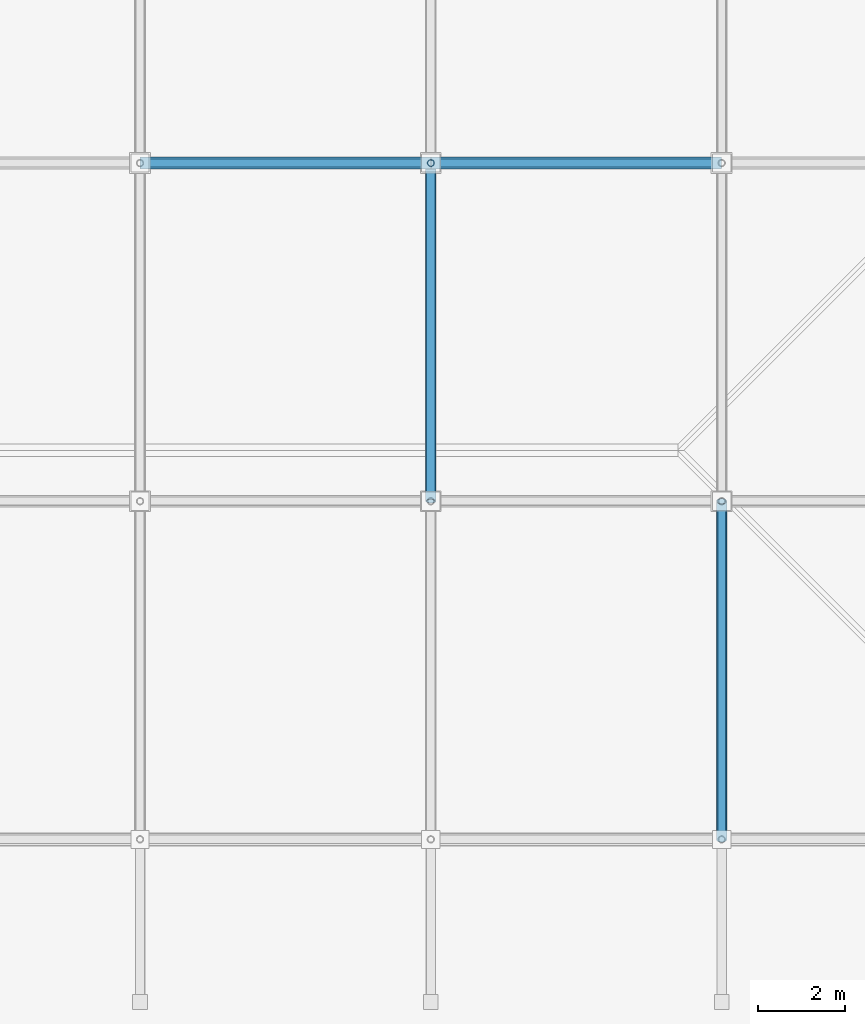
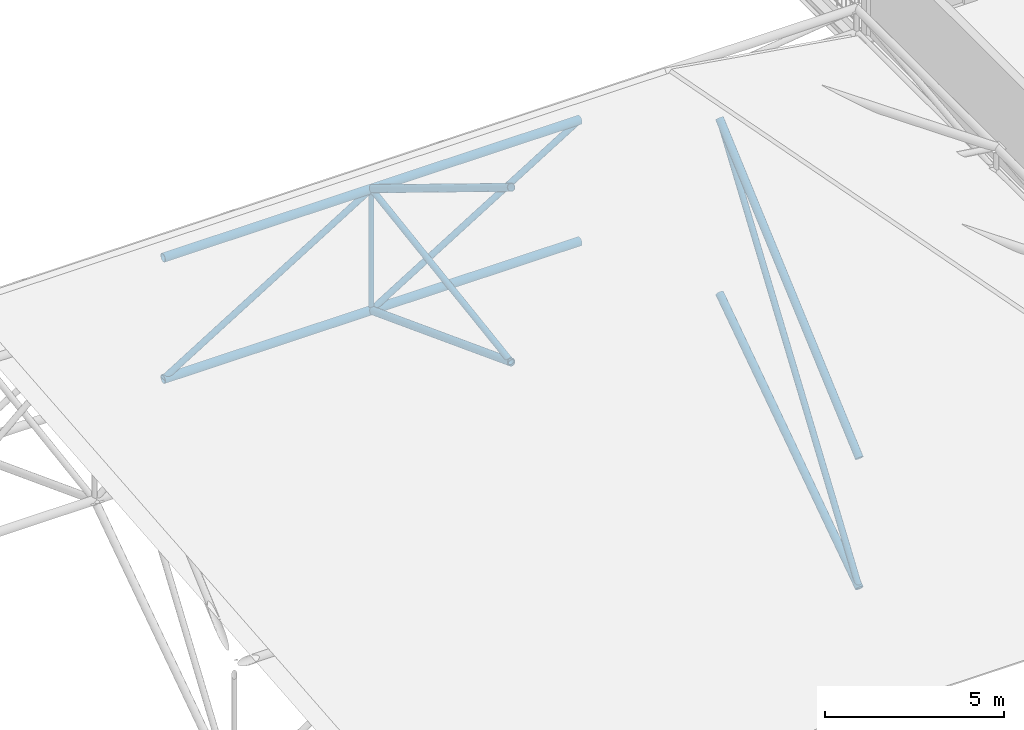
# One storey, part 33 of 77: 13 members.
"""IFC4 building model written with IfcOpenShell, lengths in metres."""

import ifcopenshell
import ifcopenshell.guid

model = None  # the IFC model being written
_history = None  # IfcOwnerHistory: only IFC2X3 demands one
_inside = {}  # id of a spatial element -> (the spatial element, [elements in it])
_under = {}  # id of a project, library or spatial element -> (it, [spatial elements below it])
_declared = {}  # id of a project -> (the project, [libraries it declares])
_typed = {}  # id of a type object -> (the type object, [elements of that type])
_made_of = {}  # id of a material, layer set ... -> (it, [elements and type objects made of it])


def new_model(schema):
    """Start an empty IFC model of exactly this schema.

    Asked for "IFC4X3", IfcOpenShell would pick the latest addendum, in which some entities
    have other attributes; the version numbers below select the first issue.
    IFC2X3 requires an IfcOwnerHistory on every rooted entity: one is made here for all.
    """
    global model, _history
    if schema == "IFC4X3":
        model = ifcopenshell.file(schema_version=(4, 3, 0, 0))
    else:
        model = ifcopenshell.file(schema=schema)
    _inside.clear()
    _under.clear()
    _declared.clear()
    _typed.clear()
    _made_of.clear()
    _history = None
    if model.schema == "IFC2X3":
        org = make("IfcOrganization", Name="unknown")
        user = make(
            "IfcPersonAndOrganization",
            ThePerson=make("IfcPerson", FamilyName="unknown"),
            TheOrganization=org,
        )
        app = make(
            "IfcApplication",
            ApplicationDeveloper=org,
            Version="unknown",
            ApplicationFullName="unknown",
            ApplicationIdentifier="unknown",
        )
        _history = make(
            "IfcOwnerHistory",
            OwningUser=user,
            OwningApplication=app,
            ChangeAction="ADDED",
            CreationDate=0,
        )
    return model


def make(cls, **values):
    """One entity of the class cls with the attributes given. An attribute that is None is left unset."""
    return model.create_entity(
        cls, **{name: value for name, value in values.items() if value is not None}
    )


def rooted(cls, **values):
    """An entity with a GlobalId (a new one), such as an element, a storey or a relation."""
    return make(cls, GlobalId=ifcopenshell.guid.new(), OwnerHistory=_history, **values)


def si_unit(unit_type, name, prefix=None):
    """IfcSIUnit, for example si_unit("LENGTHUNIT", "METRE", prefix="MILLI")."""
    return make("IfcSIUnit", UnitType=unit_type, Prefix=prefix, Name=name)


def assignment(units):
    """IfcUnitAssignment: the units of a project."""
    return None if units is None else make("IfcUnitAssignment", Units=units)


def point(xyz):
    """IfcCartesianPoint."""
    return None if xyz is None else make("IfcCartesianPoint", Coordinates=xyz)


def direction(xyz):
    """IfcDirection."""
    return None if xyz is None else make("IfcDirection", DirectionRatios=xyz)


def frame(location, z_axis=None, x_axis=None):
    """IfcAxis2Placement3D, a coordinate frame: its origin and axes. An axis left out is left unset."""
    return make(
        "IfcAxis2Placement3D",
        Location=point(location),
        Axis=direction(z_axis),
        RefDirection=direction(x_axis),
    )


def frame_2d(location, x_axis=None):
    """IfcAxis2Placement2D, a coordinate frame in the plane: its origin and x axis."""
    return make(
        "IfcAxis2Placement2D", Location=point(location), RefDirection=direction(x_axis)
    )


def origin():
    """The frame at (0, 0, 0) with its axes left unset."""
    return frame((0.0, 0.0, 0.0))


def origin_2d():
    """The frame at (0, 0) in the plane with its x axis left unset."""
    return frame_2d((0.0, 0.0))


def place(relative_to, where):
    """IfcLocalPlacement: puts the frame where relative to a parent placement (None: the world)."""
    return make(
        "IfcLocalPlacement", PlacementRelTo=relative_to, RelativePlacement=where
    )


def context(
    kind, dimensions, precision=None, world=None, true_north=None, identifier=None
):
    """IfcGeometricRepresentationContext, for example the 3D "Model" context."""
    return make(
        "IfcGeometricRepresentationContext",
        ContextIdentifier=identifier,
        ContextType=kind,
        CoordinateSpaceDimension=dimensions,
        Precision=precision,
        WorldCoordinateSystem=world,
        TrueNorth=true_north,
    )


def subcontext(parent, identifier, kind, view, scale=None):
    """IfcGeometricRepresentationSubContext, for example "Body" below "Model"."""
    return make(
        "IfcGeometricRepresentationSubContext",
        ContextIdentifier=identifier,
        ContextType=kind,
        ParentContext=parent,
        TargetScale=scale,
        TargetView=view,
    )


def project(units=None, contexts=None):
    """IfcProject with its units and contexts."""
    return rooted(
        "IfcProject",
        Name="project",
        RepresentationContexts=contexts,
        UnitsInContext=assignment(units),
    )


def spatial(cls, under=None, at=None, **own):
    """A site, building, storey or space (cls), placed at a placement, below another one or the project."""
    s = rooted(cls, ObjectPlacement=at, **own)
    if under is not None:
        _under.setdefault(under.id(), (under, []))[1].append(s)
    return s


def profile(cls, at=None, kind="AREA", **sizes):
    """A parametric profile (cls). Its sizes go by their IFC names, for example OverallWidth=200.0."""
    return make(cls, ProfileType=kind, Position=at, **sizes)


def hollow_circle(**sizes):
    """IfcCircleHollowProfileDef."""
    return profile("IfcCircleHollowProfileDef", **sizes)


def extrude(swept, where, along, depth):
    """IfcExtrudedAreaSolid: the profile swept, set in the frame where, extruded along a direction by depth."""
    return make(
        "IfcExtrudedAreaSolid",
        SweptArea=swept,
        Position=where,
        ExtrudedDirection=direction(along),
        Depth=depth,
    )


def shape(context_of_items, identifier, shape_type, items):
    """IfcShapeRepresentation: the items that make up one representation, for example the "Body"."""
    return make(
        "IfcShapeRepresentation",
        ContextOfItems=context_of_items,
        RepresentationIdentifier=identifier,
        RepresentationType=shape_type,
        Items=items,
    )


def material(Name=None, Category=None):
    """IfcMaterial."""
    return make("IfcMaterial", Name=Name, Category=Category)


def material_profile(
    of_material, cross_section, Name=None, Category=None, Priority=None
):
    """IfcMaterialProfile: a cross section and its material."""
    return make(
        "IfcMaterialProfile",
        Name=Name,
        Material=of_material,
        Profile=cross_section,
        Priority=Priority,
        Category=Category,
    )


def profile_set(profiles, Name=None, composite=None):
    """IfcMaterialProfileSet."""
    return make(
        "IfcMaterialProfileSet",
        Name=Name,
        MaterialProfiles=profiles,
        CompositeProfile=composite,
    )


def made_of(thing, what):
    """Note that an element or type object is made of a material, layer set ...; save() writes the relation."""
    if what is not None:
        _made_of.setdefault(what.id(), (what, []))[1].append(thing)
    return thing


def type_object(cls, material=None, **own):
    """A type object (cls), such as IfcWallType, which elements share."""
    return made_of(rooted(cls, **own), material)


def element(
    cls,
    number,
    at=None,
    inside=None,
    cuts=None,
    type_object=None,
    material=None,
    context=None,
    identifier="Body",
    shape_type=None,
    held_by="IfcProductDefinitionShape",
    body=None,
    shapes=None,
    **own,
):
    """One element of the class cls, such as IfcWall. Its Tag is "e" and its number.

    at: its placement. inside: the storey or other place that contains it. cuts: it is an
    opening in that element (IfcRelVoidsElement). A single representation is given by context,
    identifier, shape_type and body (its items); several are given by shapes. held_by: the class
    of the entity that holds the representations. save() writes the other relations.
    """
    e = rooted(cls, Tag="e%d" % number, ObjectPlacement=at, **own)
    if body is not None:
        shapes = [shape(context, identifier, shape_type, body)]
    if shapes is not None:
        e.Representation = make(held_by, Representations=shapes)
    if inside is not None:
        _inside.setdefault(inside.id(), (inside, []))[1].append(e)
    if cuts is not None:
        rooted(
            "IfcRelVoidsElement", RelatingBuildingElement=cuts, RelatedOpeningElement=e
        )
    if type_object is not None:
        _typed.setdefault(type_object.id(), (type_object, []))[1].append(e)
    return made_of(e, material)


def aggregate(whole, parts):
    """IfcRelAggregates: a whole, such as a stair, and the parts it consists of."""
    return rooted("IfcRelAggregates", RelatingObject=whole, RelatedObjects=parts)


def save(model, path):
    """Write the relations noted so far, then the file.

    IfcRelAggregates (storeys below a building ...), IfcRelContainedInSpatialStructure (elements
    in a storey), IfcRelDefinesByType, IfcRelAssociatesMaterial and IfcRelDeclares: one each for
    every whole, place, type object, material and project.
    """
    for whole, parts in _under.values():
        aggregate(whole, parts)
    for where, things in _inside.values():
        rooted(
            "IfcRelContainedInSpatialStructure",
            RelatedElements=things,
            RelatingStructure=where,
        )
    for kind, things in _typed.values():
        rooted("IfcRelDefinesByType", RelatedObjects=things, RelatingType=kind)
    for what, things in _made_of.values():
        rooted("IfcRelAssociatesMaterial", RelatedObjects=things, RelatingMaterial=what)
    for by, libraries in _declared.values():
        rooted("IfcRelDeclares", RelatingContext=by, RelatedDefinitions=libraries)
    model.write(path)


model = new_model("IFC4")

# Units and contexts
model_context = context("Model", 3, precision=1e-05, world=origin(), true_north=direction((0.0, 1.0)))
body_context = subcontext(model_context, "Body", "Model", "MODEL_VIEW")
ifc_project = project(units=[si_unit("LENGTHUNIT", "METRE"), si_unit("AREAUNIT", "SQUARE_METRE"), si_unit("VOLUMEUNIT", "CUBIC_METRE"), si_unit("PLANEANGLEUNIT", "RADIAN"), si_unit("MASSUNIT", "GRAM", prefix="KILO")], contexts=[model_context])

# Site, building, storey
site_placement = place(None, origin())
site = spatial("IfcSite", under=ifc_project, at=site_placement, CompositionType="ELEMENT")
building_placement = place(site_placement, origin())
building = spatial("IfcBuilding", under=site, at=building_placement, Name="Nabrawat Pavilion Hospital", CompositionType="ELEMENT")
storey_placement = place(building_placement, frame((0.0, 0.0, 14.85009765625)))
storey = spatial("IfcBuildingStorey", under=building, at=storey_placement, Name="L03", CompositionType="ELEMENT", Elevation=14.85009765625)

# Members
ifc_material = material(Name="Steel S355", Category="steel")
ifc_material_profile_1 = material_profile(ifc_material, hollow_circle(Radius=0.136474609375, WallThickness=0.012451171875, at=origin_2d()), Name="CHS 273x12.5")
ifc_profile_set_1 = profile_set([ifc_material_profile_1], Name="Steel S355")
member_type_1 = type_object("IfcMemberType", Name="Space Frame Primary Chord CHS 273x12.5", PredefinedType="CHORD", material=ifc_profile_set_1)
for number, where, z_axis, x_axis, name in (
    (1, (99.16796875, 31.199951171875, 6.432861328125), (1.0, 0.0, 0.0), (0.0, 1.0, 0.0), "Space Frame Chord Top X 0165"),
    (2, (99.16796875, 31.199951171875, 2.298583984375), (1.0, 0.0, 0.0), (0.0, 1.0, 0.0), "Space Frame Chord Bottom X 0166"),
    (3, (105.8759765625, 31.199951171875, 6.432861328125), (1.0, 0.0, 0.0), (0.0, 1.0, 0.0), "Space Frame Chord Top X 0190"),
    (4, (105.8759765625, 31.199951171875, 2.298583984375), (1.0, 0.0, 0.0), (0.0, 1.0, 0.0), "Space Frame Chord Bottom X 0191"),
):
    element("IfcMember", number, at=place(storey_placement, frame(where, z_axis=z_axis, x_axis=x_axis)), inside=storey, type_object=member_type_1, Name=name, PredefinedType="CHORD", context=body_context, shape_type="SweptSolid", body=[
        extrude(hollow_circle(Radius=0.136474609375, WallThickness=0.012451171875, at=origin_2d()), origin(), (0.0, 0.0, 1.0), 6.7080078125),
    ])
ifc_material_profile_2 = material_profile(ifc_material, hollow_circle(Radius=0.096923828125, WallThickness=0.010009765625, at=origin_2d()), Name="CHS 193.7x10")
ifc_profile_set_2 = profile_set([ifc_material_profile_2], Name="Steel S355")
member_type_2 = type_object("IfcMemberType", Name="Space Frame Primary Diagonal CHS 193.7x10", PredefinedType="BRACE", material=ifc_profile_set_2)
member_1_placement = place(storey_placement, frame((99.16796875, 31.199951171875, 2.298583984375), z_axis=(0.851302807991, 0.0, 0.524674688838), x_axis=(0.0, 1.0, 0.0)))
element("IfcMember", 5, at=member_1_placement, inside=storey, type_object=member_type_2, Name="Space Frame Diagonal Web X 0170", PredefinedType="BRACE", context=body_context, shape_type="SweptSolid", body=[
    extrude(hollow_circle(Radius=0.096923828125, WallThickness=0.010009765625, at=origin_2d()), origin(), (0.0, 0.0, 1.0), 7.879638671875),
])
member_2_placement = place(storey_placement, frame((105.8759765625, 23.39990234375, 5.260498046875), z_axis=(0.0, 0.988892492278, 0.148632562769), x_axis=(-1.0, 0.0, 0.0)))
element("IfcMember", 6, at=member_2_placement, inside=storey, type_object=member_type_2, Name="Space Frame Diagonal Web Y 0189", PredefinedType="BRACE", context=body_context, shape_type="SweptSolid", body=[
    extrude(hollow_circle(Radius=0.096923828125, WallThickness=0.010009765625, at=origin_2d()), origin(), (0.0, 0.0, 1.0), 7.8876953125),
])
member_3_placement = place(storey_placement, frame((105.8759765625, 31.199951171875, 2.298583984375), z_axis=(0.851302807991, 0.0, 0.524674688838), x_axis=(0.0, 1.0, 0.0)))
element("IfcMember", 7, at=member_3_placement, inside=storey, type_object=member_type_2, Name="Space Frame Diagonal Web X 0195", PredefinedType="BRACE", context=body_context, shape_type="SweptSolid", body=[
    extrude(hollow_circle(Radius=0.096923828125, WallThickness=0.010009765625, at=origin_2d()), origin(), (0.0, 0.0, 1.0), 7.879638671875),
])
member_4_placement = place(storey_placement, frame((112.583984375, 15.60009765625, -0.050048828125), z_axis=(0.0, 0.569427763017, 0.8220413753), x_axis=(-1.0, 0.0, 0.0)))
element("IfcMember", 8, at=member_4_placement, inside=storey, type_object=member_type_2, Name="Space Frame Diagonal Web Y 0207", PredefinedType="BRACE", context=body_context, shape_type="SweptSolid", body=[
    extrude(hollow_circle(Radius=0.096923828125, WallThickness=0.010009765625, at=origin_2d()), origin(), (0.0, 0.0, 1.0), 13.697509765625),
])
ifc_material_profile_3 = material_profile(ifc_material, hollow_circle(Radius=0.122314453125, WallThickness=0.012451171875, at=origin_2d()), Name="CHS 244.5x12.5")
ifc_profile_set_3 = profile_set([ifc_material_profile_3], Name="Steel S355")
member_type_3 = type_object("IfcMemberType", Name="Space Frame Transverse Chord CHS 244.5x12.5", PredefinedType="CHORD", material=ifc_profile_set_3)
member_5_placement = place(storey_placement, frame((105.8759765625, 23.39990234375, 11.2099609375), z_axis=(0.0, 0.852775367849, -0.522277868562), x_axis=(-1.0, 0.0, 0.0)))
element("IfcMember", 9, at=member_5_placement, inside=storey, type_object=member_type_3, Name="Space Frame Chord Top Y 0185", PredefinedType="CHORD", context=body_context, shape_type="SweptSolid", body=[
    extrude(hollow_circle(Radius=0.122314453125, WallThickness=0.012451171875, at=origin_2d()), origin(), (0.0, 0.0, 1.0), 9.146728515625),
])
member_6_placement = place(storey_placement, frame((105.8759765625, 23.39990234375, 5.260498046875), z_axis=(0.0, 0.934867308635, -0.354997345406), x_axis=(-1.0, 0.0, 0.0)))
element("IfcMember", 10, at=member_6_placement, inside=storey, type_object=member_type_3, Name="Space Frame Chord Bottom Y 0186", PredefinedType="CHORD", context=body_context, shape_type="SweptSolid", body=[
    extrude(hollow_circle(Radius=0.122314453125, WallThickness=0.012451171875, at=origin_2d()), origin(), (0.0, 0.0, 1.0), 8.343505859375),
])
member_7_placement = place(storey_placement, frame((112.583984375, 15.60009765625, 4.373046875), z_axis=(0.0, 0.751998989984, 0.659164258029), x_axis=(-1.0, 0.0, 0.0)))
element("IfcMember", 11, at=member_7_placement, inside=storey, type_object=member_type_3, Name="Space Frame Chord Top Y 0203", PredefinedType="CHORD", context=body_context, shape_type="SweptSolid", body=[
    extrude(hollow_circle(Radius=0.122314453125, WallThickness=0.012451171875, at=origin_2d()), origin(), (0.0, 0.0, 1.0), 10.3720703125),
])
member_8_placement = place(storey_placement, frame((112.583984375, 15.60009765625, -0.050048828125), z_axis=(0.0, 0.826597198855, 0.562793986149), x_axis=(-1.0, 0.0, 0.0)))
element("IfcMember", 12, at=member_8_placement, inside=storey, type_object=member_type_3, Name="Space Frame Chord Bottom Y 0204", PredefinedType="CHORD", context=body_context, shape_type="SweptSolid", body=[
    extrude(hollow_circle(Radius=0.122314453125, WallThickness=0.012451171875, at=origin_2d()), origin(), (0.0, 0.0, 1.0), 9.43603515625),
])
ifc_material_profile_4 = material_profile(ifc_material, hollow_circle(Radius=0.07958984375, WallThickness=0.008056640625, at=origin_2d()), Name="CHS 159x8")
ifc_profile_set_4 = profile_set([ifc_material_profile_4], Name="Steel S355")
member_type_4 = type_object("IfcMemberType", Name="Space Frame Vertical Web Post CHS 159x8", PredefinedType="BRACE", material=ifc_profile_set_4)
member_9_placement = place(storey_placement, frame((105.8759765625, 31.199951171875, 2.298583984375), z_axis=(0.0, 0.0, 1.0), x_axis=(1.0, 0.0, 0.0)))
element("IfcMember", 13, at=member_9_placement, inside=storey, type_object=member_type_4, Name="Space Frame Diagonal Post 0194", PredefinedType="BRACE", context=body_context, shape_type="SweptSolid", body=[
    extrude(hollow_circle(Radius=0.07958984375, WallThickness=0.008056640625, at=origin_2d()), origin(), (0.0, 0.0, 1.0), 4.13427734375),
])

save(model, "model.ifc")
